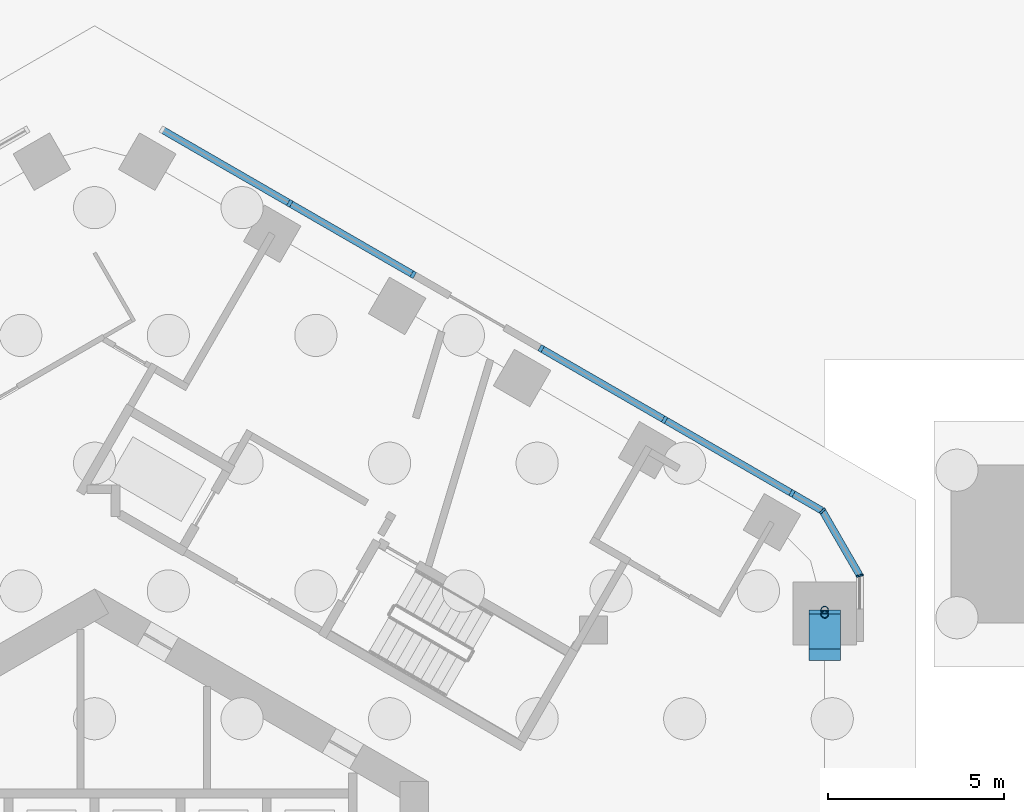
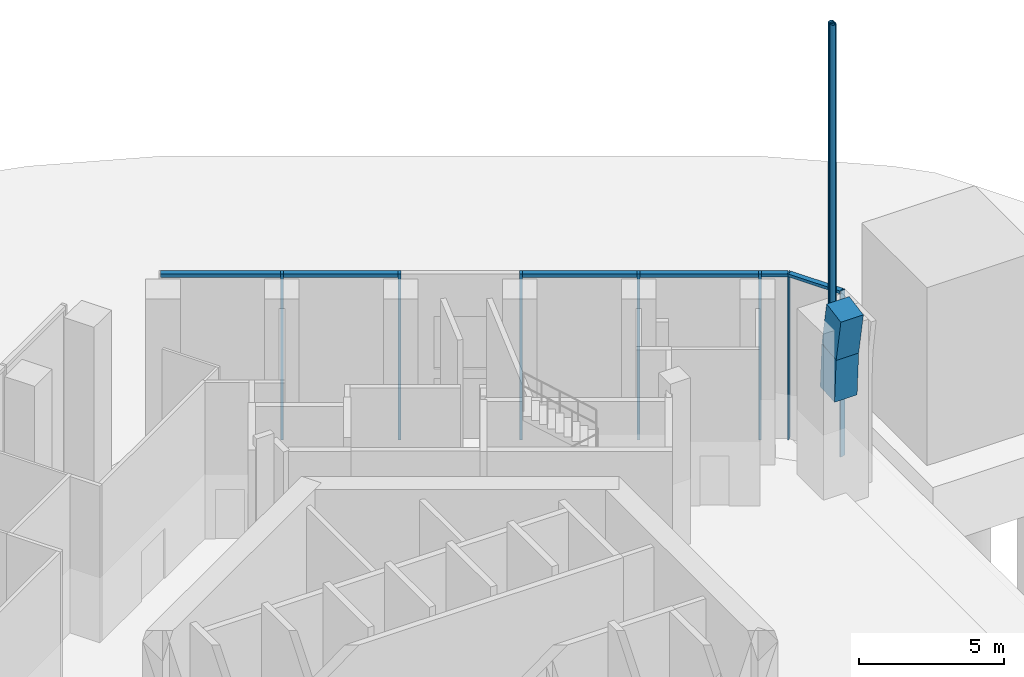
# One storey, part 5 of 18: 13 members, 2 beams, 3 elements without a shape of their own.
"""IFC4 building model written with IfcOpenShell, lengths in metres."""

from ifc_helpers import new_model, si_unit, direction, frame, origin, origin_2d, place, context, subcontext, project, spatial, rectangle, hollow_circle, extrude, material, layer, layer_set, material_profile, profile_set, type_object, element, aggregate, save


model = new_model("IFC4")

# Units and contexts
model_context = context("Model", 3, precision=1e-05, world=origin(), true_north=direction((0.0, 1.0)))
body_context = subcontext(model_context, "Body", "Model", "MODEL_VIEW")
ifc_project = project(units=[si_unit("LENGTHUNIT", "METRE"), si_unit("AREAUNIT", "SQUARE_METRE"), si_unit("VOLUMEUNIT", "CUBIC_METRE"), si_unit("PLANEANGLEUNIT", "RADIAN"), si_unit("MASSUNIT", "GRAM", prefix="KILO")], contexts=[model_context])

# Site, building, storey
site_placement = place(None, origin())
site = spatial("IfcSite", under=ifc_project, at=site_placement, CompositionType="ELEMENT")
building_placement = place(site_placement, origin())
building = spatial("IfcBuilding", under=site, at=building_placement, Name="Ayvan Gate Tower", CompositionType="ELEMENT")
storey_placement = place(building_placement, origin())
storey = spatial("IfcBuildingStorey", under=building, at=storey_placement, Name="L00", CompositionType="ELEMENT", Elevation=0.0)

# Beams
ifc_material_1 = material(Name="Concrete C60/75", Category="concrete")
ifc_material_profile_1 = material_profile(ifc_material_1, rectangle(XDim=0.89990234375, YDim=1.0, at=origin_2d()), Name="RC 900x1000")
ifc_profile_set_1 = profile_set([ifc_material_profile_1], Name="Concrete C60/75")
beam_type = type_object("IfcBeamType", Name="Arch rib RC 900x1000 C60/75", PredefinedType="BEAM", material=ifc_profile_set_1)
for number, where, z_axis, x_axis, name in (
    (1, (20.78466796875, 9.425048828125, 7.6962890625), (0.0, 0.177929066797, -0.984043315708), (-1.0, 0.0, 0.0), "AR-0-19"),
    (2, (20.78466796875, 9.7568359375, 5.861328125), (0.0, 0.059573960117, -0.998223894362), (-1.0, 0.0, 0.0), "AR-0-20"),
):
    element("IfcBeam", number, at=place(storey_placement, frame(where, z_axis=z_axis, x_axis=x_axis)), inside=storey, type_object=beam_type, Name=name, PredefinedType="BEAM", context=body_context, shape_type="SweptSolid", body=[
        extrude(rectangle(XDim=0.89990234375, YDim=1.0, at=origin_2d()), origin(), (0.0, 0.0, 1.0), 1.86474609375),
    ])

# Members
ifc_material_2 = material(Name="Steel S460NH", Category="steel")
ifc_material_profile_2 = material_profile(ifc_material_2, hollow_circle(Radius=0.109619140625, WallThickness=0.012451171875, at=origin_2d()), Name="CHS 219.1x12.5")
ifc_profile_set_2 = profile_set([ifc_material_profile_2], Name="Steel S460NH")
member_type_1 = type_object("IfcMemberType", Name="Arch rib hanger CHS 219.1x12.5", PredefinedType="STRUT", material=ifc_profile_set_2)
member_1_placement = place(storey_placement, frame((20.78466796875, 10.248779296875, 5.7724609375), z_axis=(0.0, 0.0, 1.0), x_axis=(1.0, 0.0, 0.0)))
element("IfcMember", 3, at=member_1_placement, inside=storey, type_object=member_type_1, Name="ARH-0-19", PredefinedType="STRUT", context=body_context, shape_type="SweptSolid", body=[
    extrude(hollow_circle(Radius=0.109619140625, WallThickness=0.012451171875, at=origin_2d()), origin(), (0.0, 0.0, 1.0), 13.4775390625),
])
member_2_placement = place(storey_placement, frame((20.78466796875, 10.366943359375, 3.97021484375), z_axis=(0.0, 0.0, 1.0), x_axis=(1.0, 0.0, 0.0)))
element("IfcMember", 4, at=member_2_placement, inside=storey, type_object=member_type_1, Name="ARH-0-20", PredefinedType="STRUT", context=body_context, shape_type="SweptSolid", body=[
    extrude(hollow_circle(Radius=0.109619140625, WallThickness=0.012451171875, at=origin_2d()), origin(), (0.0, 0.0, 1.0), 15.27978515625),
])

# Curtain wall, members
ifc_material_3 = material(Name="Bronze anodised aluminium", Category="aluminium")
ifc_layer_1 = layer(ifc_material_3, 0.199951171875)
ifc_layer_set_1 = layer_set([ifc_layer_1], Name="Bronze anodised aluminium")
curtain_wall_type_1 = type_object("IfcCurtainWallType", Name="Stick curtain wall CW-3", PredefinedType="NOTDEFINED", material=ifc_layer_set_1)
curtain_wall_1_placement = place(storey_placement, origin())
curtain_wall_1 = element("IfcCurtainWall", 5, at=curtain_wall_1_placement, inside=storey, type_object=curtain_wall_type_1, Name="Stick curtain wall CW-3 L00", PredefinedType="NOTDEFINED")
ifc_material_profile_3 = material_profile(ifc_material_3, rectangle(XDim=0.199951171875, YDim=0.10009765625, at=origin_2d()), Name="Stick curtain wall CW-3 mullion 200 x 100")
ifc_profile_set_3 = profile_set([ifc_material_profile_3], Name="Bronze anodised aluminium")
member_type_2 = type_object("IfcMemberType", Name="Stick curtain wall CW-3 mullion 200 x 100", PredefinedType="MULLION", material=ifc_profile_set_3)
member_3_placement = place(storey_placement, frame((19.855224609375, 13.691162109375, 0.0), z_axis=(0.0, 0.0, 1.0), x_axis=(0.5, 0.866025403784, 0.0)))
member_3 = element("IfcMember", 6, at=member_3_placement, type_object=member_type_2, Name="CW-3 mullion 1", PredefinedType="MULLION", context=body_context, shape_type="SweptSolid", body=[
    extrude(rectangle(XDim=0.199951171875, YDim=0.10009765625, at=origin_2d()), origin(), (0.0, 0.0, 1.0), 7.0),
])
member_4_placement = place(storey_placement, frame((16.2275390625, 15.78564453125, 0.0), z_axis=(0.0, 0.0, 1.0), x_axis=(0.5, 0.866025403784, 0.0)))
member_4 = element("IfcMember", 7, at=member_4_placement, type_object=member_type_2, Name="CW-3 mullion 2", PredefinedType="MULLION", context=body_context, shape_type="SweptSolid", body=[
    extrude(rectangle(XDim=0.199951171875, YDim=0.10009765625, at=origin_2d()), origin(), (0.0, 0.0, 1.0), 7.0),
])
member_5_placement = place(storey_placement, frame((12.714111328125, 17.814208984375, 0.0), z_axis=(0.0, 0.0, 1.0), x_axis=(0.5, 0.866025403784, 0.0)))
member_5 = element("IfcMember", 8, at=member_5_placement, type_object=member_type_2, Name="CW-3 mullion 3", PredefinedType="MULLION", context=body_context, shape_type="SweptSolid", body=[
    extrude(rectangle(XDim=0.199951171875, YDim=0.10009765625, at=origin_2d()), origin(), (0.0, 0.0, 1.0), 7.0),
])

curtain_wall_2_placement = place(storey_placement, origin())
curtain_wall_2 = element("IfcCurtainWall", 9, at=curtain_wall_2_placement, inside=storey, type_object=curtain_wall_type_1, Name="Stick curtain wall CW-3 L00", PredefinedType="NOTDEFINED")
member_6_placement = place(storey_placement, frame((9.07080078125, 19.917724609375, 0.0), z_axis=(0.0, 0.0, 1.0), x_axis=(0.5, 0.866025403784, 0.0)))
member_6 = element("IfcMember", 10, at=member_6_placement, type_object=member_type_2, Name="CW-3 mullion 1", PredefinedType="MULLION", context=body_context, shape_type="SweptSolid", body=[
    extrude(rectangle(XDim=0.199951171875, YDim=0.10009765625, at=origin_2d()), origin(), (0.0, 0.0, 1.0), 7.0),
])
member_7_placement = place(storey_placement, frame((5.55712890625, 21.9462890625, 0.0), z_axis=(0.0, 0.0, 1.0), x_axis=(0.5, 0.866025403784, 0.0)))
member_7 = element("IfcMember", 11, at=member_7_placement, type_object=member_type_2, Name="CW-3 mullion 2", PredefinedType="MULLION", context=body_context, shape_type="SweptSolid", body=[
    extrude(rectangle(XDim=0.199951171875, YDim=0.10009765625, at=origin_2d()), origin(), (0.0, 0.0, 1.0), 7.0),
])

# Member
ifc_material_profile_4 = material_profile(ifc_material_3, rectangle(XDim=0.199951171875, YDim=0.159912109375, at=origin_2d()), Name="Stick curtain wall CW-3 transom 200 x 160")
ifc_profile_set_4 = profile_set([ifc_material_profile_4], Name="Bronze anodised aluminium")
member_type_3 = type_object("IfcMemberType", Name="Stick curtain wall CW-3 transom 200 x 160", PredefinedType="USERDEFINED", material=ifc_profile_set_4)
member_8_placement = place(storey_placement, frame((19.855224609375, 13.691162109375, 6.919921875), z_axis=(-0.866018934194, 0.500011205493, 0.0), x_axis=(-0.500011205493, -0.866018934194, 0.0)))
member_8 = element("IfcMember", 12, at=member_8_placement, type_object=member_type_3, Name="CW-3 transom 1", ObjectType="TRANSOM", PredefinedType="USERDEFINED", context=body_context, shape_type="SweptSolid", body=[
    extrude(rectangle(XDim=0.199951171875, YDim=0.159912109375, at=origin_2d()), origin(), (0.0, 0.0, 1.0), 8.245849609375),
])

aggregate(curtain_wall_1, [member_3, member_4, member_5, member_8])

member_9_placement = place(storey_placement, frame((9.07080078125, 19.917724609375, 6.919921875), z_axis=(-0.866033737461, 0.499985565371, 0.0), x_axis=(-0.499985565371, -0.866033737461, 0.0)))
member_9 = element("IfcMember", 13, at=member_9_placement, type_object=member_type_3, Name="CW-3 transom 1", ObjectType="TRANSOM", PredefinedType="USERDEFINED", context=body_context, shape_type="SweptSolid", body=[
    extrude(rectangle(XDim=0.199951171875, YDim=0.159912109375, at=origin_2d()), origin(), (0.0, 0.0, 1.0), 8.246337890625),
])

aggregate(curtain_wall_2, [member_6, member_7, member_9])

# Curtain wall, members
ifc_layer_2 = layer(ifc_material_3, 0.199951171875)
ifc_layer_set_2 = layer_set([ifc_layer_2], Name="Bronze anodised aluminium")
curtain_wall_type_2 = type_object("IfcCurtainWallType", Name="Stick curtain wall CW-6", PredefinedType="NOTDEFINED", material=ifc_layer_set_2)
curtain_wall_3_placement = place(storey_placement, origin())
curtain_wall_3 = element("IfcCurtainWall", 14, at=curtain_wall_3_placement, inside=storey, type_object=curtain_wall_type_2, Name="Stick curtain wall CW-6 L00", PredefinedType="NOTDEFINED")
ifc_material_profile_5 = material_profile(ifc_material_3, rectangle(XDim=0.199951171875, YDim=0.050048828125, at=origin_2d()), Name="Stick curtain wall CW-6 mullion 200 x 50")
ifc_profile_set_5 = profile_set([ifc_material_profile_5], Name="Bronze anodised aluminium")
member_type_4 = type_object("IfcMemberType", Name="Stick curtain wall CW-6 mullion 200 x 50", PredefinedType="MULLION", material=ifc_profile_set_5)
member_10_placement = place(storey_placement, frame((21.78466796875, 11.349609375, 0.0), z_axis=(0.0, 0.0, 1.0), x_axis=(0.965925826289, 0.258819045103, 0.0)))
member_10 = element("IfcMember", 15, at=member_10_placement, type_object=member_type_4, Name="CW-6 mullion 2", PredefinedType="MULLION", context=body_context, shape_type="SweptSolid", body=[
    extrude(rectangle(XDim=0.199951171875, YDim=0.050048828125, at=origin_2d()), origin(), (0.0, 0.0, 1.0), 7.0),
])
member_11_placement = place(storey_placement, frame((20.721435546875, 13.191162109375, 0.0), z_axis=(0.0, 0.0, 1.0), x_axis=(0.707106781187, 0.707106781187, 0.0)))
member_11 = element("IfcMember", 16, at=member_11_placement, type_object=member_type_4, Name="CW-6 mullion 3", PredefinedType="MULLION", context=body_context, shape_type="SweptSolid", body=[
    extrude(rectangle(XDim=0.199951171875, YDim=0.050048828125, at=origin_2d()), origin(), (0.0, 0.0, 1.0), 7.0),
])
ifc_material_profile_6 = material_profile(ifc_material_3, rectangle(XDim=0.199951171875, YDim=0.1201171875, at=origin_2d()), Name="Stick curtain wall CW-6 transom 200 x 120")
ifc_profile_set_6 = profile_set([ifc_material_profile_6], Name="Bronze anodised aluminium")
member_type_5 = type_object("IfcMemberType", Name="Stick curtain wall CW-6 transom 200 x 120", PredefinedType="USERDEFINED", material=ifc_profile_set_6)
member_12_placement = place(storey_placement, frame((21.772216796875, 11.371337890625, 6.93994140625), z_axis=(-0.500020978615, 0.866013291437, 0.0), x_axis=(-0.866013291437, -0.500020978615, 0.0)))
member_12 = element("IfcMember", 17, at=member_12_placement, type_object=member_type_5, Name="CW-6 transom 2", ObjectType="TRANSOM", PredefinedType="USERDEFINED", context=body_context, shape_type="SweptSolid", body=[
    extrude(rectangle(XDim=0.199951171875, YDim=0.1201171875, at=origin_2d()), origin(), (0.0, 0.0, 1.0), 2.07666015625),
])
member_13_placement = place(storey_placement, frame((20.69970703125, 13.20361328125, 6.93994140625), z_axis=(-0.865943820382, 0.500141279983, 0.0), x_axis=(-0.500141279983, -0.865943820382, 0.0)))
member_13 = element("IfcMember", 18, at=member_13_placement, type_object=member_type_5, Name="CW-6 transom 3", ObjectType="TRANSOM", PredefinedType="USERDEFINED", context=body_context, shape_type="SweptSolid", body=[
    extrude(rectangle(XDim=0.199951171875, YDim=0.1201171875, at=origin_2d()), origin(), (0.0, 0.0, 1.0), 0.925048828125),
])
aggregate(curtain_wall_3, [member_10, member_11, member_12, member_13])

save(model, "model.ifc")
